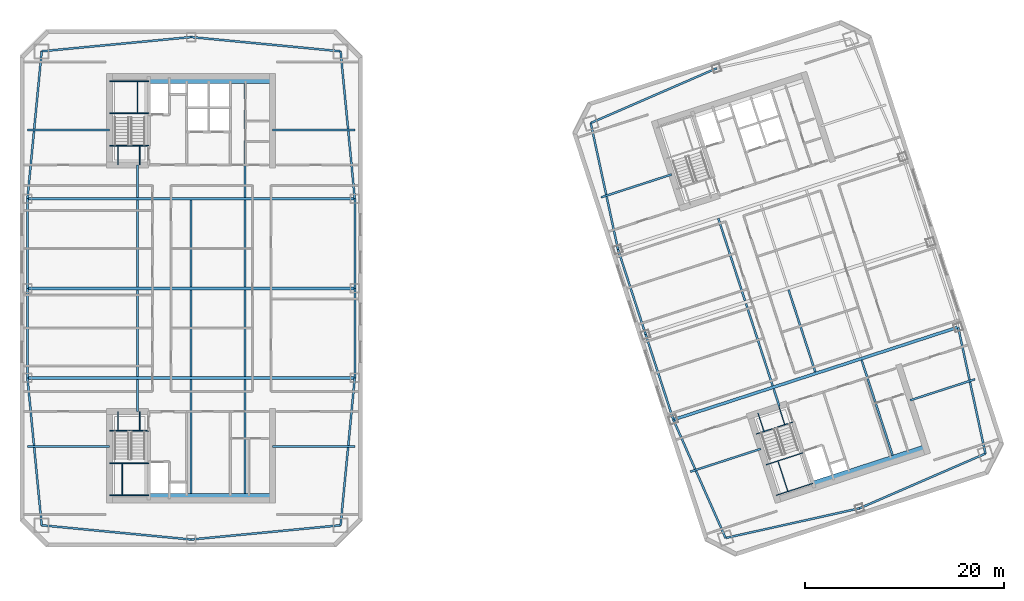
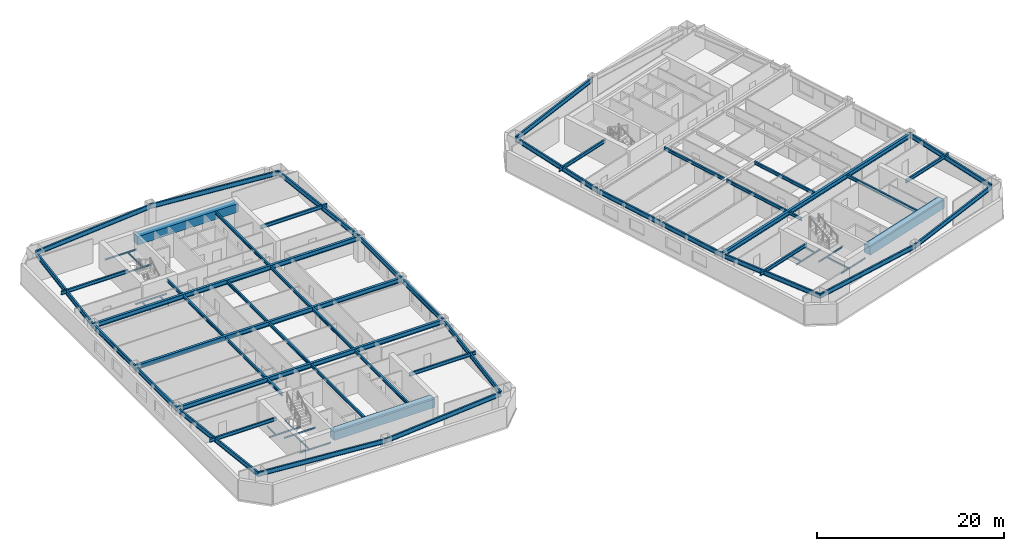
# One storey, part 3 of 13: 68 beams.
"""IFC4 building model written with IfcOpenShell, lengths in metres."""

from ifc_helpers import new_model, si_unit, direction, frame, origin, origin_2d, place, context, subcontext, project, spatial, rectangle, i_section, extrude, material, material_profile, profile_set, type_object, element, save


model = new_model("IFC4")

# Units and contexts
model_context = context("Model", 3, precision=1e-05, world=origin(), true_north=direction((0.0, 1.0)))
body_context = subcontext(model_context, "Body", "Model", "MODEL_VIEW")
ifc_project = project(units=[si_unit("LENGTHUNIT", "METRE"), si_unit("AREAUNIT", "SQUARE_METRE"), si_unit("VOLUMEUNIT", "CUBIC_METRE"), si_unit("PLANEANGLEUNIT", "RADIAN"), si_unit("MASSUNIT", "GRAM", prefix="KILO")], contexts=[model_context])

# Site, building, storey
site_placement = place(None, origin())
site = spatial("IfcSite", under=ifc_project, at=site_placement, CompositionType="ELEMENT")
building_placement = place(site_placement, origin())
building = spatial("IfcBuilding", under=site, at=building_placement, Name="Qiaolan Cultural Towers", CompositionType="ELEMENT")
storey_placement = place(building_placement, frame((0.0, 0.0, 180.550048828125)))
storey = spatial("IfcBuildingStorey", under=building, at=storey_placement, Name="L48", CompositionType="ELEMENT", Elevation=180.550048828125)

# Beams
ifc_material_1 = material(Name="Steel Q355B", Category="steel")
ifc_material_profile_1 = material_profile(ifc_material_1, i_section(OverallWidth=0.300048828125, OverallDepth=0.587890625, WebThickness=0.011962890625, FlangeThickness=0.02001953125, at=origin_2d()), Name="HM588x300x12x20")
ifc_profile_set_1 = profile_set([ifc_material_profile_1], Name="Steel Q355B")
beam_type_1 = type_object("IfcBeamType", Name="BM-HM588x300x12x20", PredefinedType="BEAM", material=ifc_profile_set_1)
for number, where, z_axis, x_axis, name in (
    (1, (13.550048828125, 25.0, 2.8759765625), (1.0, 0.0, 0.0), (0.0, 1.0, 0.0), "L48 T1 Primary Transverse Girder V1"),
    (2, (13.550048828125, 34.0, 2.8759765625), (1.0, 0.0, 0.0), (0.0, 1.0, 0.0), "L48 T1 Primary Transverse Girder V2"),
    (3, (13.550048828125, 43.0, 2.8759765625), (1.0, 0.0, 0.0), (0.0, 1.0, 0.0), "L48 T1 Primary Transverse Girder V3"),
):
    element("IfcBeam", number, at=place(storey_placement, frame(where, z_axis=z_axis, x_axis=x_axis)), inside=storey, type_object=beam_type_1, Name=name, PredefinedType="BEAM", context=body_context, shape_type="SweptSolid", body=[
        extrude(i_section(OverallWidth=0.300048828125, OverallDepth=0.587890625, WebThickness=0.011962890625, FlangeThickness=0.02001953125, at=origin_2d()), origin(), (0.0, 0.0, 1.0), 32.89990234375),
    ])
beam_1_placement = place(storey_placement, frame((78.4677734375, 20.789794921875, 2.8759765625), z_axis=(0.951055226628, 0.309020963535, 0.0), x_axis=(-0.309020963535, 0.951055226628, 0.0)))
element("IfcBeam", 4, at=beam_1_placement, inside=storey, type_object=beam_type_1, Name="L48 T2 Primary Transverse Girder V1", PredefinedType="BEAM", context=body_context, shape_type="SweptSolid", body=[
    extrude(i_section(OverallWidth=0.300048828125, OverallDepth=0.587890625, WebThickness=0.011962890625, FlangeThickness=0.02001953125, at=origin_2d()), origin(), (0.0, 0.0, 1.0), 30.099853515625),
])
ifc_material_2 = material(Name="Steel Q355B", Category="steel")
ifc_material_profile_2 = material_profile(ifc_material_2, i_section(OverallWidth=0.199951171875, OverallDepth=0.39990234375, WebThickness=0.008056640625, FlangeThickness=0.012939453125, at=origin_2d()), Name="HN400x200x8x13")
ifc_profile_set_2 = profile_set([ifc_material_profile_2], Name="Steel Q355B")
beam_type_2 = type_object("IfcBeamType", Name="BM-JST-HN400x200x8x13", PredefinedType="JOIST", material=ifc_profile_set_2)
beam_2_placement = place(storey_placement, frame((24.60009765625, 21.60009765625, 2.969970703125), z_axis=(0.0, 1.0, 0.0), x_axis=(-1.0, 0.0, 0.0)))
element("IfcBeam", 5, at=beam_2_placement, inside=storey, type_object=beam_type_2, Name="L48 T1 Secondary Floor Joist U1-1", PredefinedType="JOIST", context=body_context, shape_type="SweptSolid", body=[
    extrude(i_section(OverallWidth=0.199951171875, OverallDepth=0.39990234375, WebThickness=0.008056640625, FlangeThickness=0.012939453125, at=origin_2d()), origin(), (0.0, 0.0, 1.0), 3.25),
])
for number, where, z_axis, x_axis, name in (
    (6, (24.60009765625, 25.14990234375, 2.969970703125), (0.0, 1.0, 0.0), (-1.0, 0.0, 0.0), "L48 T1 Secondary Floor Joist U1-2"),
    (7, (24.60009765625, 34.14990234375, 2.969970703125), (0.0, 1.0, 0.0), (-1.0, 0.0, 0.0), "L48 T1 Secondary Floor Joist U1-3"),
):
    element("IfcBeam", number, at=place(storey_placement, frame(where, z_axis=z_axis, x_axis=x_axis)), inside=storey, type_object=beam_type_2, Name=name, PredefinedType="JOIST", context=body_context, shape_type="SweptSolid", body=[
        extrude(i_section(OverallWidth=0.199951171875, OverallDepth=0.39990234375, WebThickness=0.008056640625, FlangeThickness=0.012939453125, at=origin_2d()), origin(), (0.0, 0.0, 1.0), 8.7001953125),
    ])
beam_3_placement = place(storey_placement, frame((24.60009765625, 43.14990234375, 2.969970703125), z_axis=(0.0, 1.0, 0.0), x_axis=(-1.0, 0.0, 0.0)))
element("IfcBeam", 8, at=beam_3_placement, inside=storey, type_object=beam_type_2, Name="L48 T1 Secondary Floor Joist U1-4", PredefinedType="JOIST", context=body_context, shape_type="SweptSolid", body=[
    extrude(i_section(OverallWidth=0.199951171875, OverallDepth=0.39990234375, WebThickness=0.008056640625, FlangeThickness=0.012939453125, at=origin_2d()), origin(), (0.0, 0.0, 1.0), 3.25),
])
beam_4_placement = place(storey_placement, frame((30.0, 13.39990234375, 2.969970703125), z_axis=(0.0, 1.0, 0.0), x_axis=(-1.0, 0.0, 0.0)))
element("IfcBeam", 9, at=beam_4_placement, inside=storey, type_object=beam_type_2, Name="L48 T1 Secondary Floor Joist U2-1", PredefinedType="JOIST", context=body_context, shape_type="SweptSolid", body=[
    extrude(i_section(OverallWidth=0.199951171875, OverallDepth=0.39990234375, WebThickness=0.008056640625, FlangeThickness=0.012939453125, at=origin_2d()), origin(), (0.0, 0.0, 1.0), 11.4501953125),
])
for number, where, z_axis, x_axis, name in (
    (10, (30.0, 25.14990234375, 2.969970703125), (0.0, 1.0, 0.0), (-1.0, 0.0, 0.0), "L48 T1 Secondary Floor Joist U2-2"),
    (11, (30.0, 34.14990234375, 2.969970703125), (0.0, 1.0, 0.0), (-1.0, 0.0, 0.0), "L48 T1 Secondary Floor Joist U2-3"),
):
    element("IfcBeam", number, at=place(storey_placement, frame(where, z_axis=z_axis, x_axis=x_axis)), inside=storey, type_object=beam_type_2, Name=name, PredefinedType="JOIST", context=body_context, shape_type="SweptSolid", body=[
        extrude(i_section(OverallWidth=0.199951171875, OverallDepth=0.39990234375, WebThickness=0.008056640625, FlangeThickness=0.012939453125, at=origin_2d()), origin(), (0.0, 0.0, 1.0), 8.7001953125),
    ])
beam_5_placement = place(storey_placement, frame((35.39990234375, 13.39990234375, 2.969970703125), z_axis=(0.0, 1.0, 0.0), x_axis=(-1.0, 0.0, 0.0)))
element("IfcBeam", 12, at=beam_5_placement, inside=storey, type_object=beam_type_2, Name="L48 T1 Secondary Floor Joist U3-1", PredefinedType="JOIST", context=body_context, shape_type="SweptSolid", body=[
    extrude(i_section(OverallWidth=0.199951171875, OverallDepth=0.39990234375, WebThickness=0.008056640625, FlangeThickness=0.012939453125, at=origin_2d()), origin(), (0.0, 0.0, 1.0), 11.4501953125),
])
for number, where, z_axis, x_axis, name in (
    (13, (35.39990234375, 25.14990234375, 2.969970703125), (0.0, 1.0, 0.0), (-1.0, 0.0, 0.0), "L48 T1 Secondary Floor Joist U3-2"),
    (14, (35.39990234375, 34.14990234375, 2.969970703125), (0.0, 1.0, 0.0), (-1.0, 0.0, 0.0), "L48 T1 Secondary Floor Joist U3-3"),
):
    element("IfcBeam", number, at=place(storey_placement, frame(where, z_axis=z_axis, x_axis=x_axis)), inside=storey, type_object=beam_type_2, Name=name, PredefinedType="JOIST", context=body_context, shape_type="SweptSolid", body=[
        extrude(i_section(OverallWidth=0.199951171875, OverallDepth=0.39990234375, WebThickness=0.008056640625, FlangeThickness=0.012939453125, at=origin_2d()), origin(), (0.0, 0.0, 1.0), 8.7001953125),
    ])
beam_6_placement = place(storey_placement, frame((35.39990234375, 43.14990234375, 2.969970703125), z_axis=(0.0, 1.0, 0.0), x_axis=(-1.0, 0.0, 0.0)))
element("IfcBeam", 15, at=beam_6_placement, inside=storey, type_object=beam_type_2, Name="L48 T1 Secondary Floor Joist U3-4", PredefinedType="JOIST", context=body_context, shape_type="SweptSolid", body=[
    extrude(i_section(OverallWidth=0.199951171875, OverallDepth=0.39990234375, WebThickness=0.008056640625, FlangeThickness=0.012939453125, at=origin_2d()), origin(), (0.0, 0.0, 1.0), 11.4501953125),
])
beam_7_placement = place(storey_placement, frame((89.119384765625, 22.147705078125, 2.969970703125), z_axis=(-0.308933885266, 0.951083516067, 0.0), x_axis=(-0.951083516067, -0.308933885266, 0.0)))
element("IfcBeam", 16, at=beam_7_placement, inside=storey, type_object=beam_type_2, Name="L48 T2 Secondary Floor Joist U1-1", PredefinedType="JOIST", context=body_context, shape_type="SweptSolid", body=[
    extrude(i_section(OverallWidth=0.199951171875, OverallDepth=0.39990234375, WebThickness=0.008056640625, FlangeThickness=0.012939453125, at=origin_2d()), origin(), (0.0, 0.0, 1.0), 1.85009765625),
])
for number, where, z_axis, x_axis, name in (
    (17, (88.455078125, 24.192626953125, 2.969970703125), (-0.309020714809, 0.951055307445, 0.0), (-0.951055307445, -0.309020714809, 0.0), "L48 T2 Secondary Floor Joist U1-2"),
    (18, (85.673828125, 32.752197265625, 2.969970703125), (-0.309020714809, 0.951055307445, 0.0), (-0.951055307445, -0.309020714809, 0.0), "L48 T2 Secondary Floor Joist U1-3"),
    (19, (92.73486328125, 25.583251953125, 2.969970703125), (-0.309020714809, 0.951055307445, 0.0), (-0.951055307445, -0.309020714809, 0.0), "L48 T2 Secondary Floor Joist U2-2"),
):
    element("IfcBeam", number, at=place(storey_placement, frame(where, z_axis=z_axis, x_axis=x_axis)), inside=storey, type_object=beam_type_2, Name=name, PredefinedType="JOIST", context=body_context, shape_type="SweptSolid", body=[
        extrude(i_section(OverallWidth=0.199951171875, OverallDepth=0.39990234375, WebThickness=0.008056640625, FlangeThickness=0.012939453125, at=origin_2d()), origin(), (0.0, 0.0, 1.0), 8.699951171875),
    ])
beam_8_placement = place(storey_placement, frame((100.498291015625, 17.222900390625, 2.969970703125), z_axis=(-0.309025649293, 0.951053704098, 0.0), x_axis=(-0.951053704098, -0.309025649293, 0.0)))
element("IfcBeam", 20, at=beam_8_placement, inside=storey, type_object=beam_type_2, Name="L48 T2 Secondary Floor Joist U3-1", PredefinedType="JOIST", context=body_context, shape_type="SweptSolid", body=[
    extrude(i_section(OverallWidth=0.199951171875, OverallDepth=0.39990234375, WebThickness=0.008056640625, FlangeThickness=0.012939453125, at=origin_2d()), origin(), (0.0, 0.0, 1.0), 10.050048828125),
])
ifc_material_3 = material(Name="Steel Q355B", Category="steel")
ifc_material_profile_3 = material_profile(ifc_material_3, i_section(OverallWidth=0.199951171875, OverallDepth=0.449951171875, WebThickness=0.009033203125, FlangeThickness=0.013916015625, at=origin_2d()), Name="HN450x200x9x14")
ifc_profile_set_3 = profile_set([ifc_material_profile_3], Name="Steel Q355B")
beam_type_3 = type_object("IfcBeamType", Name="BM-LNT-HN450x200x9x14", PredefinedType="LINTEL", material=ifc_profile_set_3)
for number, where, z_axis, x_axis, name in (
    (21, (21.800048828125, 18.10009765625, 2.945068359375), (-1.0, 0.0, 0.0), (0.0, -1.0, 0.0), "L48 T1 Core Flank Tie Lintel WS"),
    (22, (21.800048828125, 49.89990234375, 2.945068359375), (-1.0, 0.0, 0.0), (0.0, -1.0, 0.0), "L48 T1 Core Flank Tie Lintel WN"),
    (23, (38.199951171875, 18.10009765625, 2.945068359375), (1.0, 0.0, 0.0), (0.0, 1.0, 0.0), "L48 T1 Core Flank Tie Lintel ES"),
    (24, (38.199951171875, 49.89990234375, 2.945068359375), (1.0, 0.0, 0.0), (0.0, 1.0, 0.0), "L48 T1 Core Flank Tie Lintel EN"),
):
    element("IfcBeam", number, at=place(storey_placement, frame(where, z_axis=z_axis, x_axis=x_axis)), inside=storey, type_object=beam_type_3, Name=name, PredefinedType="LINTEL", context=body_context, shape_type="SweptSolid", body=[
        extrude(i_section(OverallWidth=0.199951171875, OverallDepth=0.449951171875, WebThickness=0.009033203125, FlangeThickness=0.013916015625, at=origin_2d()), origin(), (0.0, 0.0, 1.0), 8.25),
    ])
beam_9_placement = place(storey_placement, frame((87.252685546875, 17.861083984375, 2.945068359375), z_axis=(-0.951064407856, -0.308992705592, 0.0), x_axis=(0.308992705592, -0.951064407856, 0.0)))
element("IfcBeam", 25, at=beam_9_placement, inside=storey, type_object=beam_type_3, Name="L48 T2 Core Flank Tie Lintel WS", PredefinedType="LINTEL", context=body_context, shape_type="SweptSolid", body=[
    extrude(i_section(OverallWidth=0.199951171875, OverallDepth=0.449951171875, WebThickness=0.009033203125, FlangeThickness=0.013916015625, at=origin_2d()), origin(), (0.0, 0.0, 1.0), 7.449951171875),
])
beam_10_placement = place(storey_placement, frame((78.291259765625, 45.44189453125, 2.945068359375), z_axis=(-0.951054777171, -0.309022346796, 0.0), x_axis=(0.309022346796, -0.951054777171, 0.0)))
element("IfcBeam", 26, at=beam_10_placement, inside=storey, type_object=beam_type_3, Name="L48 T2 Core Flank Tie Lintel WN", PredefinedType="LINTEL", context=body_context, shape_type="SweptSolid", body=[
    extrude(i_section(OverallWidth=0.199951171875, OverallDepth=0.449951171875, WebThickness=0.009033203125, FlangeThickness=0.013916015625, at=origin_2d()), origin(), (0.0, 0.0, 1.0), 7.4501953125),
])
beam_11_placement = place(storey_placement, frame((102.279296875, 22.74365234375, 2.945068359375), z_axis=(0.951061565824, 0.30900145309, 0.0), x_axis=(-0.30900145309, 0.951061565824, 0.0)))
element("IfcBeam", 27, at=beam_11_placement, inside=storey, type_object=beam_type_3, Name="L48 T2 Core Flank Tie Lintel ES", PredefinedType="LINTEL", context=body_context, shape_type="SweptSolid", body=[
    extrude(i_section(OverallWidth=0.199951171875, OverallDepth=0.449951171875, WebThickness=0.009033203125, FlangeThickness=0.013916015625, at=origin_2d()), origin(), (0.0, 0.0, 1.0), 6.85009765625),
])
ifc_material_4 = material(Name="Concrete C50", Category="concrete")
ifc_material_profile_4 = material_profile(ifc_material_4, rectangle(XDim=0.89990234375, YDim=1.10009765625, at=origin_2d()), Name="RC900x1100")
ifc_profile_set_4 = profile_set([ifc_material_profile_4], Name="Concrete C50")
beam_type_4 = type_object("IfcBeamType", Name="BM-RC900x1100", PredefinedType="BEAM", material=ifc_profile_set_4)
for number, where, z_axis, x_axis, name in (
    (28, (25.719970703125, 12.949951171875, 2.619873046875), (1.0, 0.0, 0.0), (0.0, 1.0, 0.0), "L48 T1 Core Header Girder S"),
    (29, (25.719970703125, 55.050048828125, 2.619873046875), (1.0, 0.0, 0.0), (0.0, 1.0, 0.0), "L48 T1 Core Header Girder N"),
):
    element("IfcBeam", number, at=place(storey_placement, frame(where, z_axis=z_axis, x_axis=x_axis)), inside=storey, type_object=beam_type_4, Name=name, PredefinedType="BEAM", context=body_context, shape_type="SweptSolid", body=[
        extrude(rectangle(XDim=0.89990234375, YDim=1.10009765625, at=origin_2d()), origin(), (0.0, 0.0, 1.0), 12.47998046875),
    ])
beam_12_placement = place(storey_placement, frame((92.572265625, 14.174560546875, 2.619873046875), z_axis=(0.951056266386, 0.309017763514, 0.0), x_axis=(-0.309017763514, 0.951056266386, 0.0)))
element("IfcBeam", 30, at=beam_12_placement, inside=storey, type_object=beam_type_4, Name="L48 T2 Core Header Girder S", PredefinedType="BEAM", context=body_context, shape_type="SweptSolid", body=[
    extrude(rectangle(XDim=0.89990234375, YDim=1.10009765625, at=origin_2d()), origin(), (0.0, 0.0, 1.0), 11.880126953125),
])
ifc_material_5 = material(Name="Steel Q355B", Category="steel")
ifc_material_profile_5 = material_profile(ifc_material_5, i_section(OverallWidth=0.199951171875, OverallDepth=0.60009765625, WebThickness=0.010986328125, FlangeThickness=0.01708984375, at=origin_2d()), Name="HN600x200x11x17")
ifc_profile_set_5 = profile_set([ifc_material_profile_5], Name="Steel Q355B")
beam_type_5 = type_object("IfcBeamType", Name="BM-SPD-HN600x200x11x17", PredefinedType="SPANDREL", material=ifc_profile_set_5)
for number, where, z_axis, x_axis, name in (
    (31, (14.97998046875, 10.179931640625, 2.869873046875), (0.995498889995, -0.094773203061, 0.0), (0.094773203061, 0.995498889995, 0.0), "L48 T1 Perimeter Spandrel Beam 1"),
    (32, (30.0, 8.75, 2.869873046875), (0.995498889995, 0.094773203061, 0.0), (-0.094773203061, 0.995498889995, 0.0), "L48 T1 Perimeter Spandrel Beam 2"),
):
    element("IfcBeam", number, at=place(storey_placement, frame(where, z_axis=z_axis, x_axis=x_axis)), inside=storey, type_object=beam_type_5, Name=name, PredefinedType="SPANDREL", context=body_context, shape_type="SweptSolid", body=[
        extrude(i_section(OverallWidth=0.199951171875, OverallDepth=0.60009765625, WebThickness=0.010986328125, FlangeThickness=0.01708984375, at=origin_2d()), origin(), (0.0, 0.0, 1.0), 15.087890625),
    ])
beam_13_placement = place(storey_placement, frame((45.02001953125, 10.179931640625, 2.869873046875), z_axis=(0.096040159186, 0.995377459974, 0.0), x_axis=(-0.995377459974, 0.096040159186, 0.0)))
element("IfcBeam", 33, at=beam_13_placement, inside=storey, type_object=beam_type_5, Name="L48 T1 Perimeter Spandrel Beam 3", PredefinedType="SPANDREL", context=body_context, shape_type="SweptSolid", body=[
    extrude(i_section(OverallWidth=0.199951171875, OverallDepth=0.60009765625, WebThickness=0.010986328125, FlangeThickness=0.01708984375, at=origin_2d()), origin(), (0.0, 0.0, 1.0), 14.888916015625),
])
for number, where, z_axis, x_axis, name in (
    (34, (46.449951171875, 25.0, 2.869873046875), (0.0, 1.0, 0.0), (-1.0, 0.0, 0.0), "L48 T1 Perimeter Spandrel Beam 4"),
    (35, (46.449951171875, 34.0, 2.869873046875), (0.0, 1.0, 0.0), (-1.0, 0.0, 0.0), "L48 T1 Perimeter Spandrel Beam 5"),
):
    element("IfcBeam", number, at=place(storey_placement, frame(where, z_axis=z_axis, x_axis=x_axis)), inside=storey, type_object=beam_type_5, Name=name, PredefinedType="SPANDREL", context=body_context, shape_type="SweptSolid", body=[
        extrude(i_section(OverallWidth=0.199951171875, OverallDepth=0.60009765625, WebThickness=0.010986328125, FlangeThickness=0.01708984375, at=origin_2d()), origin(), (0.0, 0.0, 1.0), 9.0),
    ])
beam_14_placement = place(storey_placement, frame((46.449951171875, 43.0, 2.869873046875), z_axis=(-0.096040159186, 0.995377459974, 0.0), x_axis=(-0.995377459974, -0.096040159186, 0.0)))
element("IfcBeam", 36, at=beam_14_placement, inside=storey, type_object=beam_type_5, Name="L48 T1 Perimeter Spandrel Beam 6", PredefinedType="SPANDREL", context=body_context, shape_type="SweptSolid", body=[
    extrude(i_section(OverallWidth=0.199951171875, OverallDepth=0.60009765625, WebThickness=0.010986328125, FlangeThickness=0.01708984375, at=origin_2d()), origin(), (0.0, 0.0, 1.0), 14.888916015625),
])
for number, where, z_axis, x_axis, name in (
    (37, (45.02001953125, 57.820068359375, 2.869873046875), (-0.995498889995, 0.094773203061, 0.0), (-0.094773203061, -0.995498889995, 0.0), "L48 T1 Perimeter Spandrel Beam 7"),
    (38, (30.0, 59.25, 2.869873046875), (-0.995498889995, -0.094773203061, 0.0), (0.094773203061, -0.995498889995, 0.0), "L48 T1 Perimeter Spandrel Beam 8"),
):
    element("IfcBeam", number, at=place(storey_placement, frame(where, z_axis=z_axis, x_axis=x_axis)), inside=storey, type_object=beam_type_5, Name=name, PredefinedType="SPANDREL", context=body_context, shape_type="SweptSolid", body=[
        extrude(i_section(OverallWidth=0.199951171875, OverallDepth=0.60009765625, WebThickness=0.010986328125, FlangeThickness=0.01708984375, at=origin_2d()), origin(), (0.0, 0.0, 1.0), 15.087890625),
    ])
beam_15_placement = place(storey_placement, frame((14.97998046875, 57.820068359375, 2.869873046875), z_axis=(-0.096040159186, -0.995377459974, 0.0), x_axis=(0.995377459974, -0.096040159186, 0.0)))
element("IfcBeam", 39, at=beam_15_placement, inside=storey, type_object=beam_type_5, Name="L48 T1 Perimeter Spandrel Beam 9", PredefinedType="SPANDREL", context=body_context, shape_type="SweptSolid", body=[
    extrude(i_section(OverallWidth=0.199951171875, OverallDepth=0.60009765625, WebThickness=0.010986328125, FlangeThickness=0.01708984375, at=origin_2d()), origin(), (0.0, 0.0, 1.0), 14.888916015625),
])
for number, where, z_axis, x_axis, name in (
    (40, (13.550048828125, 43.0, 2.869873046875), (0.0, -1.0, 0.0), (1.0, 0.0, 0.0), "L48 T1 Perimeter Spandrel Beam 10"),
    (41, (13.550048828125, 34.0, 2.869873046875), (0.0, -1.0, 0.0), (1.0, 0.0, 0.0), "L48 T1 Perimeter Spandrel Beam 11"),
):
    element("IfcBeam", number, at=place(storey_placement, frame(where, z_axis=z_axis, x_axis=x_axis)), inside=storey, type_object=beam_type_5, Name=name, PredefinedType="SPANDREL", context=body_context, shape_type="SweptSolid", body=[
        extrude(i_section(OverallWidth=0.199951171875, OverallDepth=0.60009765625, WebThickness=0.010986328125, FlangeThickness=0.01708984375, at=origin_2d()), origin(), (0.0, 0.0, 1.0), 9.0),
    ])
beam_16_placement = place(storey_placement, frame((13.550048828125, 25.0, 2.869873046875), z_axis=(0.096040159186, -0.995377459974, 0.0), x_axis=(0.995377459974, 0.096040159186, 0.0)))
element("IfcBeam", 42, at=beam_16_placement, inside=storey, type_object=beam_type_5, Name="L48 T1 Perimeter Spandrel Beam 12", PredefinedType="SPANDREL", context=body_context, shape_type="SweptSolid", body=[
    extrude(i_section(OverallWidth=0.199951171875, OverallDepth=0.60009765625, WebThickness=0.010986328125, FlangeThickness=0.01708984375, at=origin_2d()), origin(), (0.0, 0.0, 1.0), 14.888916015625),
])
beam_17_placement = place(storey_placement, frame((83.71875, 8.900634765625, 2.869873046875), z_axis=(0.976265293399, 0.216578108094, 0.0), x_axis=(-0.216578108094, 0.976265293399, 0.0)))
element("IfcBeam", 43, at=beam_17_placement, inside=storey, type_object=beam_type_5, Name="L48 T2 Perimeter Spandrel Beam 1", PredefinedType="SPANDREL", context=body_context, shape_type="SweptSolid", body=[
    extrude(i_section(OverallWidth=0.199951171875, OverallDepth=0.60009765625, WebThickness=0.010986328125, FlangeThickness=0.01708984375, at=origin_2d()), origin(), (0.0, 0.0, 1.0), 13.793212890625),
])
beam_18_placement = place(storey_placement, frame((97.1845703125, 11.887939453125, 2.869873046875), z_axis=(0.917117043091, 0.398618024268, 0.0), x_axis=(-0.398618024268, 0.917117043091, 0.0)))
element("IfcBeam", 44, at=beam_18_placement, inside=storey, type_object=beam_type_5, Name="L48 T2 Perimeter Spandrel Beam 2", PredefinedType="SPANDREL", context=body_context, shape_type="SweptSolid", body=[
    extrude(i_section(OverallWidth=0.199951171875, OverallDepth=0.60009765625, WebThickness=0.010986328125, FlangeThickness=0.01708984375, at=origin_2d()), origin(), (0.0, 0.0, 1.0), 13.79345703125),
])
beam_19_placement = place(storey_placement, frame((109.834716796875, 17.38623046875, 2.869873046875), z_axis=(-0.210832241173, 0.977522258612, 0.0), x_axis=(-0.977522258612, -0.210832241173, 0.0)))
element("IfcBeam", 45, at=beam_19_placement, inside=storey, type_object=beam_type_5, Name="L48 T2 Perimeter Spandrel Beam 3", PredefinedType="SPANDREL", context=body_context, shape_type="SweptSolid", body=[
    extrude(i_section(OverallWidth=0.199951171875, OverallDepth=0.60009765625, WebThickness=0.010986328125, FlangeThickness=0.01708984375, at=origin_2d()), origin(), (0.0, 0.0, 1.0), 12.997314453125),
])
beam_20_placement = place(storey_placement, frame((82.8154296875, 56.112060546875, 2.869873046875), z_axis=(-0.917117043091, -0.398618024268, 0.0), x_axis=(0.398618024268, -0.917117043091, 0.0)))
element("IfcBeam", 46, at=beam_20_placement, inside=storey, type_object=beam_type_5, Name="L48 T2 Perimeter Spandrel Beam 8", PredefinedType="SPANDREL", context=body_context, shape_type="SweptSolid", body=[
    extrude(i_section(OverallWidth=0.199951171875, OverallDepth=0.60009765625, WebThickness=0.010986328125, FlangeThickness=0.01708984375, at=origin_2d()), origin(), (0.0, 0.0, 1.0), 13.79345703125),
])
beam_21_placement = place(storey_placement, frame((70.165283203125, 50.61376953125, 2.869873046875), z_axis=(0.210832241173, -0.977522258612, 0.0), x_axis=(0.977522258612, 0.210832241173, 0.0)))
element("IfcBeam", 47, at=beam_21_placement, inside=storey, type_object=beam_type_5, Name="L48 T2 Perimeter Spandrel Beam 9", PredefinedType="SPANDREL", context=body_context, shape_type="SweptSolid", body=[
    extrude(i_section(OverallWidth=0.199951171875, OverallDepth=0.60009765625, WebThickness=0.010986328125, FlangeThickness=0.01708984375, at=origin_2d()), origin(), (0.0, 0.0, 1.0), 12.997314453125),
])
beam_22_placement = place(storey_placement, frame((72.905517578125, 37.90869140625, 2.869873046875), z_axis=(0.309008170129, -0.951059383421, 0.0), x_axis=(0.951059383421, 0.309008170129, 0.0)))
element("IfcBeam", 48, at=beam_22_placement, inside=storey, type_object=beam_type_5, Name="L48 T2 Perimeter Spandrel Beam 10", PredefinedType="SPANDREL", context=body_context, shape_type="SweptSolid", body=[
    extrude(i_section(OverallWidth=0.199951171875, OverallDepth=0.60009765625, WebThickness=0.010986328125, FlangeThickness=0.01708984375, at=origin_2d()), origin(), (0.0, 0.0, 1.0), 8.999755859375),
])
beam_23_placement = place(storey_placement, frame((75.6865234375, 29.349365234375, 2.869873046875), z_axis=(0.309024734286, -0.951054001411, 0.0), x_axis=(0.951054001411, 0.309024734286, 0.0)))
element("IfcBeam", 49, at=beam_23_placement, inside=storey, type_object=beam_type_5, Name="L48 T2 Perimeter Spandrel Beam 11", PredefinedType="SPANDREL", context=body_context, shape_type="SweptSolid", body=[
    extrude(i_section(OverallWidth=0.199951171875, OverallDepth=0.60009765625, WebThickness=0.010986328125, FlangeThickness=0.01708984375, at=origin_2d()), origin(), (0.0, 0.0, 1.0), 9.0),
])
beam_24_placement = place(storey_placement, frame((78.4677734375, 20.789794921875, 2.869873046875), z_axis=(0.404011070002, -0.914754095545, 0.0), x_axis=(0.914754095545, 0.404011070002, 0.0)))
element("IfcBeam", 50, at=beam_24_placement, inside=storey, type_object=beam_type_5, Name="L48 T2 Perimeter Spandrel Beam 12", PredefinedType="SPANDREL", context=body_context, shape_type="SweptSolid", body=[
    extrude(i_section(OverallWidth=0.199951171875, OverallDepth=0.60009765625, WebThickness=0.010986328125, FlangeThickness=0.01708984375, at=origin_2d()), origin(), (0.0, 0.0, 1.0), 12.9970703125),
])
ifc_material_6 = material(Name="Steel Q355B", Category="steel")
ifc_material_profile_6 = material_profile(ifc_material_6, i_section(OverallWidth=0.10009765625, OverallDepth=0.199951171875, WebThickness=0.005615234375, FlangeThickness=0.008056640625, at=origin_2d()), Name="HN200x100x5.5x8")
ifc_profile_set_6 = profile_set([ifc_material_profile_6], Name="Steel Q355B")
beam_type_6 = type_object("IfcBeamType", Name="BM-STTRIM-200", PredefinedType="BEAM", material=ifc_profile_set_6)
beam_25_placement = place(storey_placement, frame((21.800048828125, 19.659912109375, -0.4599609375), z_axis=(1.0, 0.0, 0.0), x_axis=(0.0, 1.0, 0.0)))
element("IfcBeam", 51, at=beam_25_placement, inside=storey, type_object=beam_type_6, Name="L48 ST-W1 Floor Landing Header Beam", PredefinedType="BEAM", context=body_context, shape_type="SweptSolid", body=[
    extrude(i_section(OverallWidth=0.10009765625, OverallDepth=0.199951171875, WebThickness=0.005615234375, FlangeThickness=0.008056640625, at=origin_2d()), origin(), (0.0, 0.0, 1.0), 3.919921875),
])
for number, where, z_axis, x_axis, name in (
    (52, (22.64990234375, 21.60009765625, -0.4599609375), (0.0, -1.0, 0.0), (1.0, 0.0, 0.0), "L48 ST-W1 Floor Landing Stringer 1"),
    (53, (24.85009765625, 21.60009765625, -0.4599609375), (0.0, -1.0, 0.0), (1.0, 0.0, 0.0), "L48 ST-W1 Floor Landing Stringer 2"),
):
    element("IfcBeam", number, at=place(storey_placement, frame(where, z_axis=z_axis, x_axis=x_axis)), inside=storey, type_object=beam_type_6, Name=name, PredefinedType="BEAM", context=body_context, shape_type="SweptSolid", body=[
        extrude(i_section(OverallWidth=0.10009765625, OverallDepth=0.199951171875, WebThickness=0.005615234375, FlangeThickness=0.008056640625, at=origin_2d()), origin(), (0.0, 0.0, 1.0), 1.940185546875),
    ])
for number, where, z_axis, x_axis, name in (
    (54, (21.800048828125, 16.411376953125, 1.425048828125), (1.0, 0.0, 0.0), (0.0, 1.0, 0.0), "L48 ST-W1 Stair Landing Support Beam 1-1"),
    (55, (21.800048828125, 13.179931640625, 1.425048828125), (1.0, 0.0, 0.0), (0.0, 1.0, 0.0), "L48 ST-W1 Stair Landing Support Beam 1-2"),
):
    element("IfcBeam", number, at=place(storey_placement, frame(where, z_axis=z_axis, x_axis=x_axis)), inside=storey, type_object=beam_type_6, Name=name, PredefinedType="BEAM", context=body_context, shape_type="SweptSolid", body=[
        extrude(i_section(OverallWidth=0.10009765625, OverallDepth=0.199951171875, WebThickness=0.005615234375, FlangeThickness=0.008056640625, at=origin_2d()), origin(), (0.0, 0.0, 1.0), 3.919921875),
    ])
beam_26_placement = place(storey_placement, frame((23.070068359375, 16.411376953125, 1.425048828125), z_axis=(0.0, -1.0, 0.0), x_axis=(1.0, 0.0, 0.0)))
element("IfcBeam", 56, at=beam_26_placement, inside=storey, type_object=beam_type_6, Name="L48 ST-W1 Stair Landing Trimmer 1", PredefinedType="BEAM", context=body_context, shape_type="SweptSolid", body=[
    extrude(i_section(OverallWidth=0.10009765625, OverallDepth=0.199951171875, WebThickness=0.005615234375, FlangeThickness=0.008056640625, at=origin_2d()), origin(), (0.0, 0.0, 1.0), 3.2314453125),
])
beam_27_placement = place(storey_placement, frame((21.800048828125, 48.340087890625, -0.4599609375), z_axis=(1.0, 0.0, 0.0), x_axis=(0.0, 1.0, 0.0)))
element("IfcBeam", 57, at=beam_27_placement, inside=storey, type_object=beam_type_6, Name="L48 ST-W2 Floor Landing Header Beam", PredefinedType="BEAM", context=body_context, shape_type="SweptSolid", body=[
    extrude(i_section(OverallWidth=0.10009765625, OverallDepth=0.199951171875, WebThickness=0.005615234375, FlangeThickness=0.008056640625, at=origin_2d()), origin(), (0.0, 0.0, 1.0), 3.919921875),
])
for number, where, z_axis, x_axis, name in (
    (58, (22.64990234375, 46.39990234375, -0.4599609375), (0.0, 1.0, 0.0), (-1.0, 0.0, 0.0), "L48 ST-W2 Floor Landing Stringer 1"),
    (59, (24.85009765625, 46.39990234375, -0.4599609375), (0.0, 1.0, 0.0), (-1.0, 0.0, 0.0), "L48 ST-W2 Floor Landing Stringer 2"),
):
    element("IfcBeam", number, at=place(storey_placement, frame(where, z_axis=z_axis, x_axis=x_axis)), inside=storey, type_object=beam_type_6, Name=name, PredefinedType="BEAM", context=body_context, shape_type="SweptSolid", body=[
        extrude(i_section(OverallWidth=0.10009765625, OverallDepth=0.199951171875, WebThickness=0.005615234375, FlangeThickness=0.008056640625, at=origin_2d()), origin(), (0.0, 0.0, 1.0), 1.940185546875),
    ])
for number, where, z_axis, x_axis, name in (
    (60, (21.800048828125, 51.588623046875, 1.425048828125), (1.0, 0.0, 0.0), (0.0, 1.0, 0.0), "L48 ST-W2 Stair Landing Support Beam 1-1"),
    (61, (21.800048828125, 54.820068359375, 1.425048828125), (1.0, 0.0, 0.0), (0.0, 1.0, 0.0), "L48 ST-W2 Stair Landing Support Beam 1-2"),
):
    element("IfcBeam", number, at=place(storey_placement, frame(where, z_axis=z_axis, x_axis=x_axis)), inside=storey, type_object=beam_type_6, Name=name, PredefinedType="BEAM", context=body_context, shape_type="SweptSolid", body=[
        extrude(i_section(OverallWidth=0.10009765625, OverallDepth=0.199951171875, WebThickness=0.005615234375, FlangeThickness=0.008056640625, at=origin_2d()), origin(), (0.0, 0.0, 1.0), 3.919921875),
    ])
beam_28_placement = place(storey_placement, frame((24.610107421875, 51.588623046875, 1.425048828125), z_axis=(0.0, 1.0, 0.0), x_axis=(-1.0, 0.0, 0.0)))
element("IfcBeam", 62, at=beam_28_placement, inside=storey, type_object=beam_type_6, Name="L48 ST-W2 Stair Landing Trimmer 1", PredefinedType="BEAM", context=body_context, shape_type="SweptSolid", body=[
    extrude(i_section(OverallWidth=0.10009765625, OverallDepth=0.199951171875, WebThickness=0.005615234375, FlangeThickness=0.008056640625, at=origin_2d()), origin(), (0.0, 0.0, 1.0), 3.2314453125),
])
beam_29_placement = place(storey_placement, frame((86.770751953125, 19.3447265625, -0.4599609375), z_axis=(0.951047798727, 0.309043823005, 0.0), x_axis=(-0.309043823005, 0.951047798727, 0.0)))
element("IfcBeam", 63, at=beam_29_placement, inside=storey, type_object=beam_type_6, Name="L48 ST-E1 Floor Landing Header Beam", PredefinedType="BEAM", context=body_context, shape_type="SweptSolid", body=[
    extrude(i_section(OverallWidth=0.10009765625, OverallDepth=0.199951171875, WebThickness=0.005615234375, FlangeThickness=0.008056640625, at=origin_2d()), origin(), (0.0, 0.0, 1.0), 3.919921875),
])
for number, where, z_axis, x_axis, name in (
    (64, (86.9794921875, 21.452392578125, -0.4599609375), (0.309083226701, -0.951034993558, 0.0), (0.951034993558, 0.309083226701, 0.0), "L48 ST-E1 Floor Landing Stringer 1"),
    (65, (89.07177734375, 22.13232421875, -0.4599609375), (0.309083226701, -0.951034993558, 0.0), (0.951034993558, 0.309083226701, 0.0), "L48 ST-E1 Floor Landing Stringer 2"),
):
    element("IfcBeam", number, at=place(storey_placement, frame(where, z_axis=z_axis, x_axis=x_axis)), inside=storey, type_object=beam_type_6, Name=name, PredefinedType="BEAM", context=body_context, shape_type="SweptSolid", body=[
        extrude(i_section(OverallWidth=0.10009765625, OverallDepth=0.199951171875, WebThickness=0.005615234375, FlangeThickness=0.008056640625, at=origin_2d()), origin(), (0.0, 0.0, 1.0), 1.93994140625),
    ])
for number, where, z_axis, x_axis, name in (
    (66, (87.774658203125, 16.255126953125, 1.425048828125), (0.951047798727, 0.309043823005, 0.0), (-0.309043823005, 0.951047798727, 0.0), "L48 ST-E1 Stair Landing Support Beam 1-1"),
    (67, (88.773193359375, 13.181884765625, 1.425048828125), (0.951047798727, 0.309043823005, 0.0), (-0.309043823005, 0.951047798727, 0.0), "L48 ST-E1 Stair Landing Support Beam 1-2"),
):
    element("IfcBeam", number, at=place(storey_placement, frame(where, z_axis=z_axis, x_axis=x_axis)), inside=storey, type_object=beam_type_6, Name=name, PredefinedType="BEAM", context=body_context, shape_type="SweptSolid", body=[
        extrude(i_section(OverallWidth=0.10009765625, OverallDepth=0.199951171875, WebThickness=0.005615234375, FlangeThickness=0.008056640625, at=origin_2d()), origin(), (0.0, 0.0, 1.0), 3.919921875),
    ])
beam_30_placement = place(storey_placement, frame((88.982421875, 16.6474609375, 1.425048828125), z_axis=(0.309033108495, -0.951051280349, 0.0), x_axis=(0.951051280349, 0.309033108495, 0.0)))
element("IfcBeam", 68, at=beam_30_placement, inside=storey, type_object=beam_type_6, Name="L48 ST-E1 Stair Landing Trimmer 1", PredefinedType="BEAM", context=body_context, shape_type="SweptSolid", body=[
    extrude(i_section(OverallWidth=0.10009765625, OverallDepth=0.199951171875, WebThickness=0.005615234375, FlangeThickness=0.008056640625, at=origin_2d()), origin(), (0.0, 0.0, 1.0), 3.231201171875),
])

save(model, "model.ifc")
